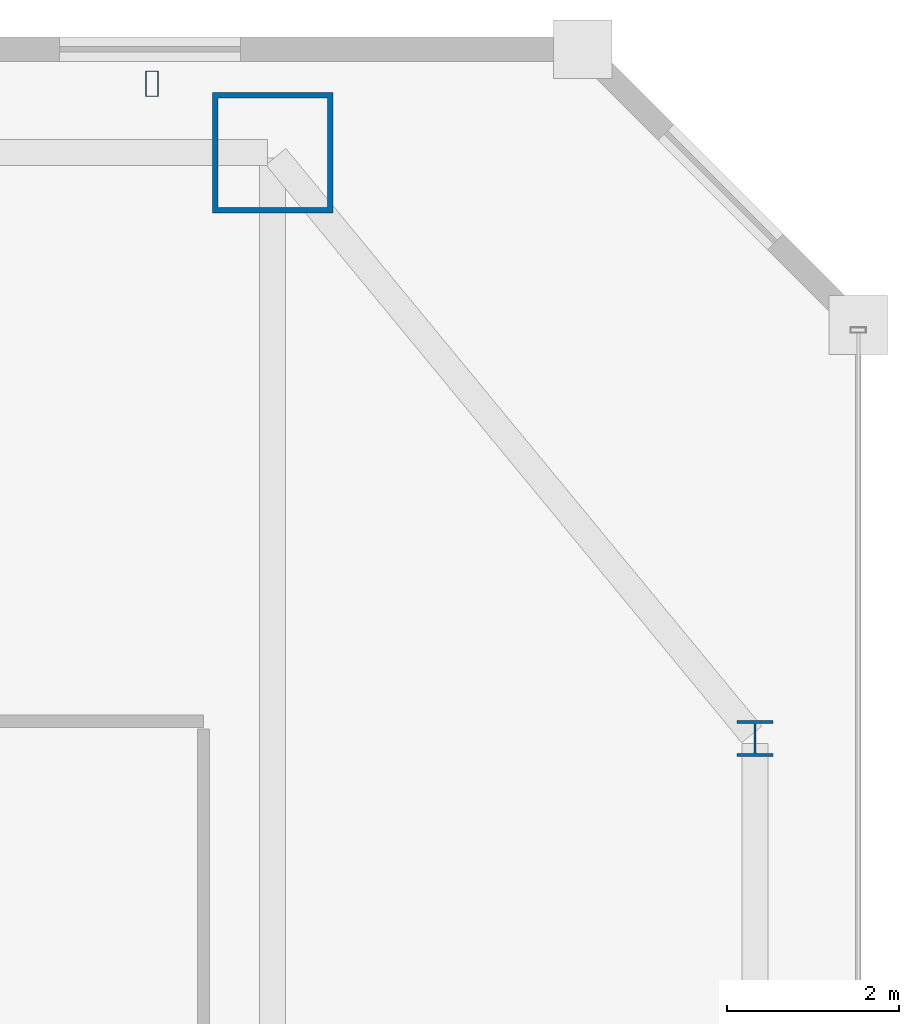
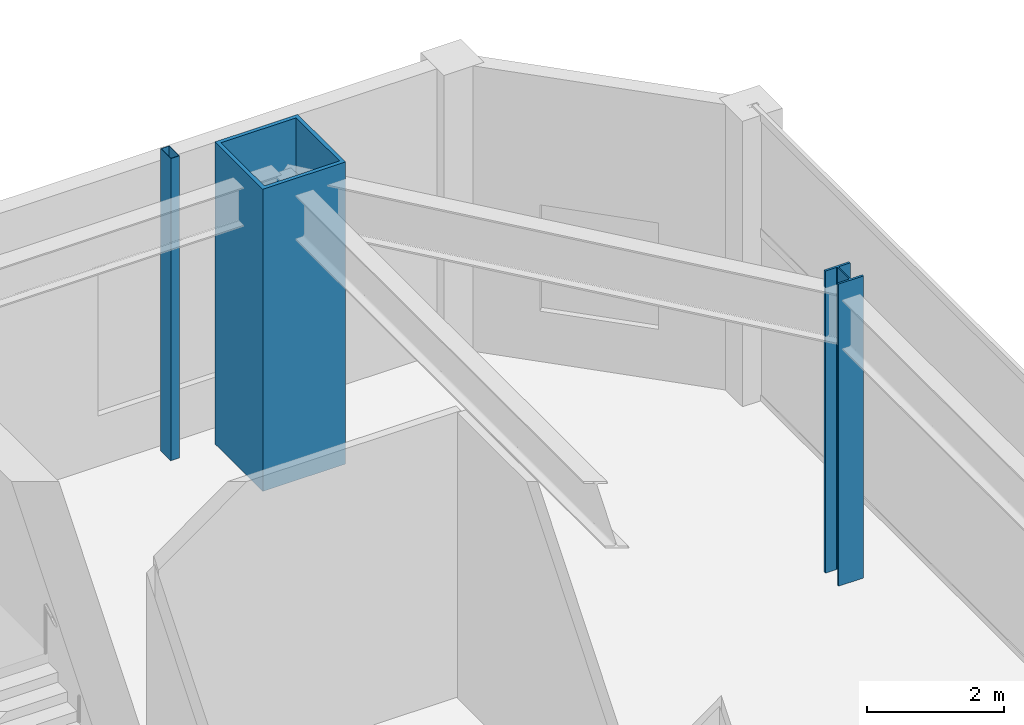
# One storey, part 5 of 51: 3 columns.
"""IFC4 building model written with IfcOpenShell, lengths in metres."""

from ifc_helpers import new_model, si_unit, direction, frame, origin, origin_2d, place, context, subcontext, project, spatial, hollow_rectangle, i_section, extrude, material, material_profile, profile_set, type_object, element, save


model = new_model("IFC4")

# Units and contexts
model_context = context("Model", 3, precision=1e-05, world=origin(), true_north=direction((0.0, 1.0)))
body_context = subcontext(model_context, "Body", "Model", "MODEL_VIEW")
ifc_project = project(units=[si_unit("LENGTHUNIT", "METRE"), si_unit("AREAUNIT", "SQUARE_METRE"), si_unit("VOLUMEUNIT", "CUBIC_METRE"), si_unit("PLANEANGLEUNIT", "RADIAN"), si_unit("MASSUNIT", "GRAM", prefix="KILO")], contexts=[model_context])

# Site, building, storey
site_placement = place(None, origin())
site = spatial("IfcSite", under=ifc_project, at=site_placement, CompositionType="ELEMENT")
building_placement = place(site_placement, origin())
building = spatial("IfcBuilding", under=site, at=building_placement, Name="Saevonmaru Cultural Tower", CompositionType="ELEMENT")
storey_placement = place(building_placement, frame((0.0, 0.0, 6.0)))
storey = spatial("IfcBuildingStorey", under=building, at=storey_placement, Name="L01", CompositionType="ELEMENT", Elevation=6.0)

# Columns
ifc_material_1 = material(Name="Steel HSA600 (600 MPa)", Category="steel")
ifc_material_profile_1 = material_profile(ifc_material_1, hollow_rectangle(XDim=1.39990234375, YDim=1.39990234375, WallThickness=0.06494140625, at=origin_2d()), Name="BOX-1400x1400x65")
ifc_profile_set_1 = profile_set([ifc_material_profile_1], Name="Steel HSA600 (600 MPa)")
column_type_1 = type_object("IfcColumnType", Name="COL-BOX-1400", PredefinedType="COLUMN", material=ifc_profile_set_1)
column_1_placement = place(storey_placement, frame((53.199951171875, 54.800048828125, 0.0), z_axis=(0.0, 0.0, 1.0), x_axis=(1.0, 0.0, 0.0)))
element("IfcColumn", 1, at=column_1_placement, inside=storey, type_object=column_type_1, Name="L01 Column TC-N6N", PredefinedType="COLUMN", context=body_context, shape_type="SweptSolid", body=[
    extrude(hollow_rectangle(XDim=1.39990234375, YDim=1.39990234375, WallThickness=0.06494140625, at=origin_2d()), origin(), (0.0, 0.0, 1.0), 5.39990234375),
])
ifc_material_2 = material(Name="Steel SM420", Category="steel")
ifc_material_profile_2 = material_profile(ifc_material_2, i_section(OverallWidth=0.419921875, OverallDepth=0.419921875, WebThickness=0.02001953125, FlangeThickness=0.034912109375, FilletRadius=0.02197265625, at=origin_2d()), Name="H-428x407x20x35")
ifc_profile_set_2 = profile_set([ifc_material_profile_2], Name="Steel SM420")
column_type_2 = type_object("IfcColumnType", Name="COL-H-428", PredefinedType="COLUMN", material=ifc_profile_set_2)
column_2_placement = place(storey_placement, frame((58.800048828125, 48.0, 0.0), z_axis=(0.0, 0.0, 1.0), x_axis=(1.0, 0.0, 0.0)))
element("IfcColumn", 2, at=column_2_placement, inside=storey, type_object=column_type_2, Name="L01 Column PC-PE-G", PredefinedType="COLUMN", context=body_context, shape_type="SweptSolid", body=[
    extrude(i_section(OverallWidth=0.419921875, OverallDepth=0.419921875, WebThickness=0.02001953125, FlangeThickness=0.034912109375, FilletRadius=0.02197265625, at=origin_2d()), origin(), (0.0, 0.0, 1.0), 5.39990234375),
])
ifc_material_3 = material(Name="Steel SM355", Category="steel")
ifc_material_profile_3 = material_profile(ifc_material_3, hollow_rectangle(XDim=0.14990234375, YDim=0.300048828125, WallThickness=0.010009765625, at=origin_2d()), Name="RHS-300x150x10")
ifc_profile_set_3 = profile_set([ifc_material_profile_3], Name="Steel SM355")
column_type_3 = type_object("IfcColumnType", Name="PIL-RHS-300", PredefinedType="PILASTER", material=ifc_profile_set_3)
column_3_placement = place(storey_placement, frame((51.800048828125, 55.60009765625, 0.0), z_axis=(0.0, 0.0, 1.0), x_axis=(1.0, 0.0, 0.0)))
element("IfcColumn", 3, at=column_3_placement, inside=storey, type_object=column_type_3, Name="L01 Art Deco Bronze-Clad Pilaster PIL-NE", PredefinedType="PILASTER", context=body_context, shape_type="SweptSolid", body=[
    extrude(hollow_rectangle(XDim=0.14990234375, YDim=0.300048828125, WallThickness=0.010009765625, at=origin_2d()), origin(), (0.0, 0.0, 1.0), 5.39990234375),
])

save(model, "model.ifc")
